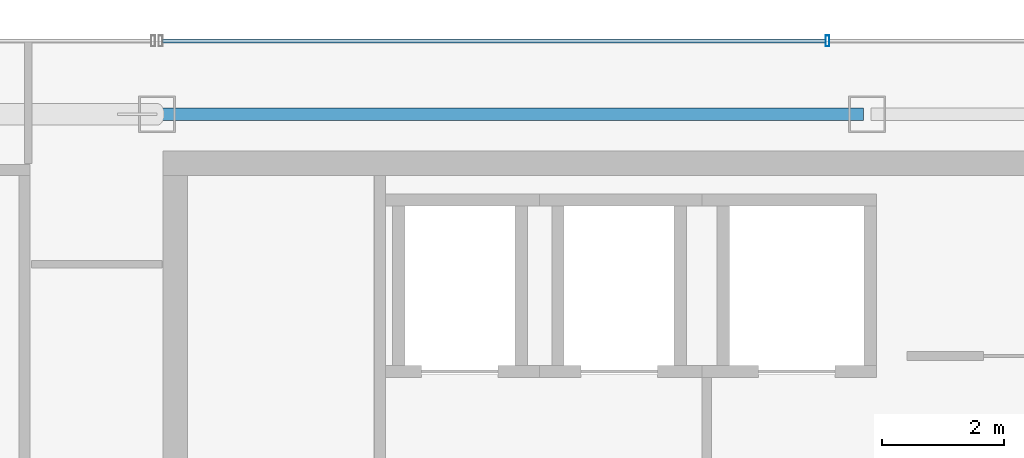
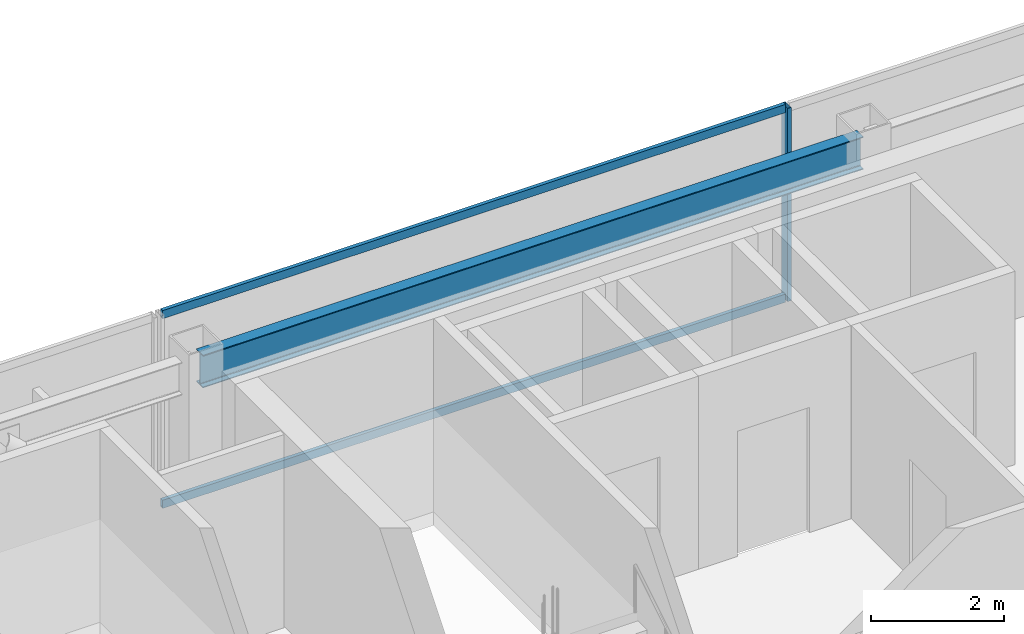
# One storey, part 21 of 32: 3 members, 1 beam, 1 element without a shape of its own.
"""IFC4 building model written with IfcOpenShell, lengths in metres."""

import ifcopenshell
import ifcopenshell.guid

model = None  # the IFC model being written
_history = None  # IfcOwnerHistory: only IFC2X3 demands one
_inside = {}  # id of a spatial element -> (the spatial element, [elements in it])
_under = {}  # id of a project, library or spatial element -> (it, [spatial elements below it])
_declared = {}  # id of a project -> (the project, [libraries it declares])
_typed = {}  # id of a type object -> (the type object, [elements of that type])
_made_of = {}  # id of a material, layer set ... -> (it, [elements and type objects made of it])


def new_model(schema):
    """Start an empty IFC model of exactly this schema.

    Asked for "IFC4X3", IfcOpenShell would pick the latest addendum, in which some entities
    have other attributes; the version numbers below select the first issue.
    IFC2X3 requires an IfcOwnerHistory on every rooted entity: one is made here for all.
    """
    global model, _history
    if schema == "IFC4X3":
        model = ifcopenshell.file(schema_version=(4, 3, 0, 0))
    else:
        model = ifcopenshell.file(schema=schema)
    _inside.clear()
    _under.clear()
    _declared.clear()
    _typed.clear()
    _made_of.clear()
    _history = None
    if model.schema == "IFC2X3":
        org = make("IfcOrganization", Name="unknown")
        user = make(
            "IfcPersonAndOrganization",
            ThePerson=make("IfcPerson", FamilyName="unknown"),
            TheOrganization=org,
        )
        app = make(
            "IfcApplication",
            ApplicationDeveloper=org,
            Version="unknown",
            ApplicationFullName="unknown",
            ApplicationIdentifier="unknown",
        )
        _history = make(
            "IfcOwnerHistory",
            OwningUser=user,
            OwningApplication=app,
            ChangeAction="ADDED",
            CreationDate=0,
        )
    return model


def make(cls, **values):
    """One entity of the class cls with the attributes given. An attribute that is None is left unset."""
    return model.create_entity(
        cls, **{name: value for name, value in values.items() if value is not None}
    )


def rooted(cls, **values):
    """An entity with a GlobalId (a new one), such as an element, a storey or a relation."""
    return make(cls, GlobalId=ifcopenshell.guid.new(), OwnerHistory=_history, **values)


def si_unit(unit_type, name, prefix=None):
    """IfcSIUnit, for example si_unit("LENGTHUNIT", "METRE", prefix="MILLI")."""
    return make("IfcSIUnit", UnitType=unit_type, Prefix=prefix, Name=name)


def assignment(units):
    """IfcUnitAssignment: the units of a project."""
    return None if units is None else make("IfcUnitAssignment", Units=units)


def point(xyz):
    """IfcCartesianPoint."""
    return None if xyz is None else make("IfcCartesianPoint", Coordinates=xyz)


def direction(xyz):
    """IfcDirection."""
    return None if xyz is None else make("IfcDirection", DirectionRatios=xyz)


def frame(location, z_axis=None, x_axis=None):
    """IfcAxis2Placement3D, a coordinate frame: its origin and axes. An axis left out is left unset."""
    return make(
        "IfcAxis2Placement3D",
        Location=point(location),
        Axis=direction(z_axis),
        RefDirection=direction(x_axis),
    )


def frame_2d(location, x_axis=None):
    """IfcAxis2Placement2D, a coordinate frame in the plane: its origin and x axis."""
    return make(
        "IfcAxis2Placement2D", Location=point(location), RefDirection=direction(x_axis)
    )


def origin():
    """The frame at (0, 0, 0) with its axes left unset."""
    return frame((0.0, 0.0, 0.0))


def origin_2d():
    """The frame at (0, 0) in the plane with its x axis left unset."""
    return frame_2d((0.0, 0.0))


def place(relative_to, where):
    """IfcLocalPlacement: puts the frame where relative to a parent placement (None: the world)."""
    return make(
        "IfcLocalPlacement", PlacementRelTo=relative_to, RelativePlacement=where
    )


def context(
    kind, dimensions, precision=None, world=None, true_north=None, identifier=None
):
    """IfcGeometricRepresentationContext, for example the 3D "Model" context."""
    return make(
        "IfcGeometricRepresentationContext",
        ContextIdentifier=identifier,
        ContextType=kind,
        CoordinateSpaceDimension=dimensions,
        Precision=precision,
        WorldCoordinateSystem=world,
        TrueNorth=true_north,
    )


def subcontext(parent, identifier, kind, view, scale=None):
    """IfcGeometricRepresentationSubContext, for example "Body" below "Model"."""
    return make(
        "IfcGeometricRepresentationSubContext",
        ContextIdentifier=identifier,
        ContextType=kind,
        ParentContext=parent,
        TargetScale=scale,
        TargetView=view,
    )


def project(units=None, contexts=None):
    """IfcProject with its units and contexts."""
    return rooted(
        "IfcProject",
        Name="project",
        RepresentationContexts=contexts,
        UnitsInContext=assignment(units),
    )


def spatial(cls, under=None, at=None, **own):
    """A site, building, storey or space (cls), placed at a placement, below another one or the project."""
    s = rooted(cls, ObjectPlacement=at, **own)
    if under is not None:
        _under.setdefault(under.id(), (under, []))[1].append(s)
    return s


def profile(cls, at=None, kind="AREA", **sizes):
    """A parametric profile (cls). Its sizes go by their IFC names, for example OverallWidth=200.0."""
    return make(cls, ProfileType=kind, Position=at, **sizes)


def hollow_rectangle(**sizes):
    """IfcRectangleHollowProfileDef."""
    return profile("IfcRectangleHollowProfileDef", **sizes)


def i_section(**sizes):
    """IfcIShapeProfileDef."""
    return profile("IfcIShapeProfileDef", **sizes)


def extrude(swept, where, along, depth):
    """IfcExtrudedAreaSolid: the profile swept, set in the frame where, extruded along a direction by depth."""
    return make(
        "IfcExtrudedAreaSolid",
        SweptArea=swept,
        Position=where,
        ExtrudedDirection=direction(along),
        Depth=depth,
    )


def shape(context_of_items, identifier, shape_type, items):
    """IfcShapeRepresentation: the items that make up one representation, for example the "Body"."""
    return make(
        "IfcShapeRepresentation",
        ContextOfItems=context_of_items,
        RepresentationIdentifier=identifier,
        RepresentationType=shape_type,
        Items=items,
    )


def material(Name=None, Category=None):
    """IfcMaterial."""
    return make("IfcMaterial", Name=Name, Category=Category)


def material_profile(
    of_material, cross_section, Name=None, Category=None, Priority=None
):
    """IfcMaterialProfile: a cross section and its material."""
    return make(
        "IfcMaterialProfile",
        Name=Name,
        Material=of_material,
        Profile=cross_section,
        Priority=Priority,
        Category=Category,
    )


def profile_set(profiles, Name=None, composite=None):
    """IfcMaterialProfileSet."""
    return make(
        "IfcMaterialProfileSet",
        Name=Name,
        MaterialProfiles=profiles,
        CompositeProfile=composite,
    )


def made_of(thing, what):
    """Note that an element or type object is made of a material, layer set ...; save() writes the relation."""
    if what is not None:
        _made_of.setdefault(what.id(), (what, []))[1].append(thing)
    return thing


def type_object(cls, material=None, **own):
    """A type object (cls), such as IfcWallType, which elements share."""
    return made_of(rooted(cls, **own), material)


def element(
    cls,
    number,
    at=None,
    inside=None,
    cuts=None,
    type_object=None,
    material=None,
    context=None,
    identifier="Body",
    shape_type=None,
    held_by="IfcProductDefinitionShape",
    body=None,
    shapes=None,
    **own,
):
    """One element of the class cls, such as IfcWall. Its Tag is "e" and its number.

    at: its placement. inside: the storey or other place that contains it. cuts: it is an
    opening in that element (IfcRelVoidsElement). A single representation is given by context,
    identifier, shape_type and body (its items); several are given by shapes. held_by: the class
    of the entity that holds the representations. save() writes the other relations.
    """
    e = rooted(cls, Tag="e%d" % number, ObjectPlacement=at, **own)
    if body is not None:
        shapes = [shape(context, identifier, shape_type, body)]
    if shapes is not None:
        e.Representation = make(held_by, Representations=shapes)
    if inside is not None:
        _inside.setdefault(inside.id(), (inside, []))[1].append(e)
    if cuts is not None:
        rooted(
            "IfcRelVoidsElement", RelatingBuildingElement=cuts, RelatedOpeningElement=e
        )
    if type_object is not None:
        _typed.setdefault(type_object.id(), (type_object, []))[1].append(e)
    return made_of(e, material)


def aggregate(whole, parts):
    """IfcRelAggregates: a whole, such as a stair, and the parts it consists of."""
    return rooted("IfcRelAggregates", RelatingObject=whole, RelatedObjects=parts)


def save(model, path):
    """Write the relations noted so far, then the file.

    IfcRelAggregates (storeys below a building ...), IfcRelContainedInSpatialStructure (elements
    in a storey), IfcRelDefinesByType, IfcRelAssociatesMaterial and IfcRelDeclares: one each for
    every whole, place, type object, material and project.
    """
    for whole, parts in _under.values():
        aggregate(whole, parts)
    for where, things in _inside.values():
        rooted(
            "IfcRelContainedInSpatialStructure",
            RelatedElements=things,
            RelatingStructure=where,
        )
    for kind, things in _typed.values():
        rooted("IfcRelDefinesByType", RelatedObjects=things, RelatingType=kind)
    for what, things in _made_of.values():
        rooted("IfcRelAssociatesMaterial", RelatedObjects=things, RelatingMaterial=what)
    for by, libraries in _declared.values():
        rooted("IfcRelDeclares", RelatingContext=by, RelatedDefinitions=libraries)
    model.write(path)


model = new_model("IFC4")

# Units and contexts
model_context = context("Model", 3, precision=1e-05, world=origin(), true_north=direction((0.0, 1.0)))
body_context = subcontext(model_context, "Body", "Model", "MODEL_VIEW")
ifc_project = project(units=[si_unit("LENGTHUNIT", "METRE"), si_unit("AREAUNIT", "SQUARE_METRE"), si_unit("VOLUMEUNIT", "CUBIC_METRE"), si_unit("PLANEANGLEUNIT", "RADIAN"), si_unit("MASSUNIT", "GRAM", prefix="KILO")], contexts=[model_context])

# Site, building, storey
site_placement = place(None, origin())
site = spatial("IfcSite", under=ifc_project, at=site_placement, CompositionType="ELEMENT")
building_placement = place(site_placement, origin())
building = spatial("IfcBuilding", under=site, at=building_placement, Name="Saevonmaru Cultural Tower", CompositionType="ELEMENT")
storey_placement = place(building_placement, frame((0.0, 0.0, 261.0)))
storey = spatial("IfcBuildingStorey", under=building, at=storey_placement, Name="L61", CompositionType="ELEMENT", Elevation=261.0)

# Beam
ifc_material_1 = material(Name="Steel SM355", Category="steel")
ifc_material_profile_1 = material_profile(ifc_material_1, i_section(OverallWidth=0.199951171875, OverallDepth=0.60009765625, WebThickness=0.010986328125, FlangeThickness=0.01708984375, FilletRadius=0.02197265625, at=origin_2d()), Name="H-600x200x11x17")
ifc_profile_set_1 = profile_set([ifc_material_profile_1], Name="Steel SM355")
beam_type = type_object("IfcBeamType", Name="BM-SP-H600", PredefinedType="SPANDREL", material=ifc_profile_set_1)
beam_placement = place(storey_placement, frame((13.659912109375, 54.800048828125, 3.25), z_axis=(1.0, 0.0, 0.0), x_axis=(0.0, 1.0, 0.0)))
element("IfcBeam", 1, at=beam_placement, inside=storey, type_object=beam_type, Name="L61 North Spine Girder 2", PredefinedType="SPANDREL", context=body_context, shape_type="SweptSolid", body=[
    extrude(i_section(OverallWidth=0.199951171875, OverallDepth=0.60009765625, WebThickness=0.010986328125, FlangeThickness=0.01708984375, FilletRadius=0.02197265625, at=origin_2d()), origin(), (0.0, 0.0, 1.0), 11.47998046875),
])

# Curtain wall, members
ifc_material_2 = material(Name="Satin Bronze Anodised Aluminium", Category="aluminium")
curtain_wall_type = type_object("IfcCurtainWallType", Name="CW-TYP-B", PredefinedType="NOTDEFINED", material=ifc_material_2)
curtain_wall_placement = place(storey_placement, origin())
curtain_wall = element("IfcCurtainWall", 2, at=curtain_wall_placement, inside=storey, type_object=curtain_wall_type, Name="L61 North Spine Unitised Curtain Wall E10B", PredefinedType="NOTDEFINED")
ifc_material_profile_2 = material_profile(ifc_material_2, hollow_rectangle(XDim=0.06494140625, YDim=0.179931640625, WallThickness=0.00390625, at=origin_2d()), Name="ALU-MULL-180x65x4")
ifc_profile_set_2 = profile_set([ifc_material_profile_2], Name="Satin Bronze Anodised Aluminium")
member_type_1 = type_object("IfcMemberType", Name="ML-CW-180x65", PredefinedType="MULLION", material=ifc_profile_set_2)
member_1_placement = place(storey_placement, frame((24.55322265625, 56.0, 0.0), z_axis=(0.0, 0.0, 1.0), x_axis=(-1.0, 0.0, 0.0)))
member_1 = element("IfcMember", 3, at=member_1_placement, type_object=member_type_1, Name="CW-TW-L61-E10B mullion 3", PredefinedType="MULLION", context=body_context, shape_type="SweptSolid", body=[
    extrude(hollow_rectangle(XDim=0.06494140625, YDim=0.179931640625, WallThickness=0.00390625, at=origin_2d()), origin(), (0.0, 0.0, 1.0), 3.550048828125),
])
ifc_material_profile_3 = material_profile(ifc_material_2, hollow_rectangle(XDim=0.06494140625, YDim=0.14990234375, WallThickness=0.00390625, at=origin_2d()), Name="ALU-TRAN-150x65x4")
ifc_profile_set_3 = profile_set([ifc_material_profile_3], Name="Satin Bronze Anodised Aluminium")
member_type_2 = type_object("IfcMemberType", Name="TR-CW-150x65", PredefinedType="USERDEFINED", material=ifc_profile_set_3)
member_2_placement = place(storey_placement, frame((24.520751953125, 56.0, 0.032470703125), z_axis=(-1.0, 0.0, 0.0), x_axis=(0.0, -1.0, 0.0)))
member_2 = element("IfcMember", 4, at=member_2_placement, type_object=member_type_2, Name="CW-TW-L61-E10B transom 3.1", ObjectType="TRANSOM", PredefinedType="USERDEFINED", context=body_context, shape_type="SweptSolid", body=[
    extrude(hollow_rectangle(XDim=0.06494140625, YDim=0.14990234375, WallThickness=0.00390625, at=origin_2d()), origin(), (0.0, 0.0, 1.0), 10.828369140625),
])
member_3_placement = place(storey_placement, frame((24.520751953125, 56.0, 3.517578125), z_axis=(-1.0, 0.0, 0.0), x_axis=(0.0, -1.0, 0.0)))
member_3 = element("IfcMember", 5, at=member_3_placement, type_object=member_type_2, Name="CW-TW-L61-E10B transom 3.2", ObjectType="TRANSOM", PredefinedType="USERDEFINED", context=body_context, shape_type="SweptSolid", body=[
    extrude(hollow_rectangle(XDim=0.06494140625, YDim=0.14990234375, WallThickness=0.00390625, at=origin_2d()), origin(), (0.0, 0.0, 1.0), 10.828369140625),
])
aggregate(curtain_wall, [member_1, member_2, member_3])

save(model, "model.ifc")
